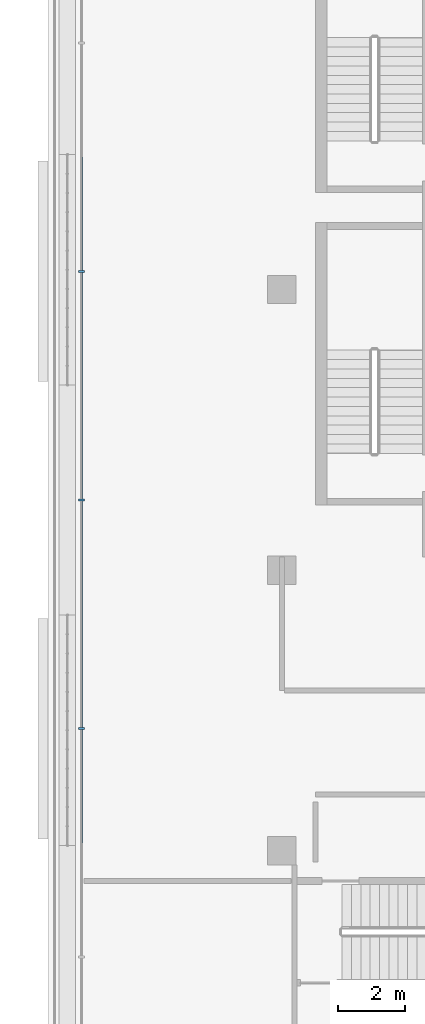
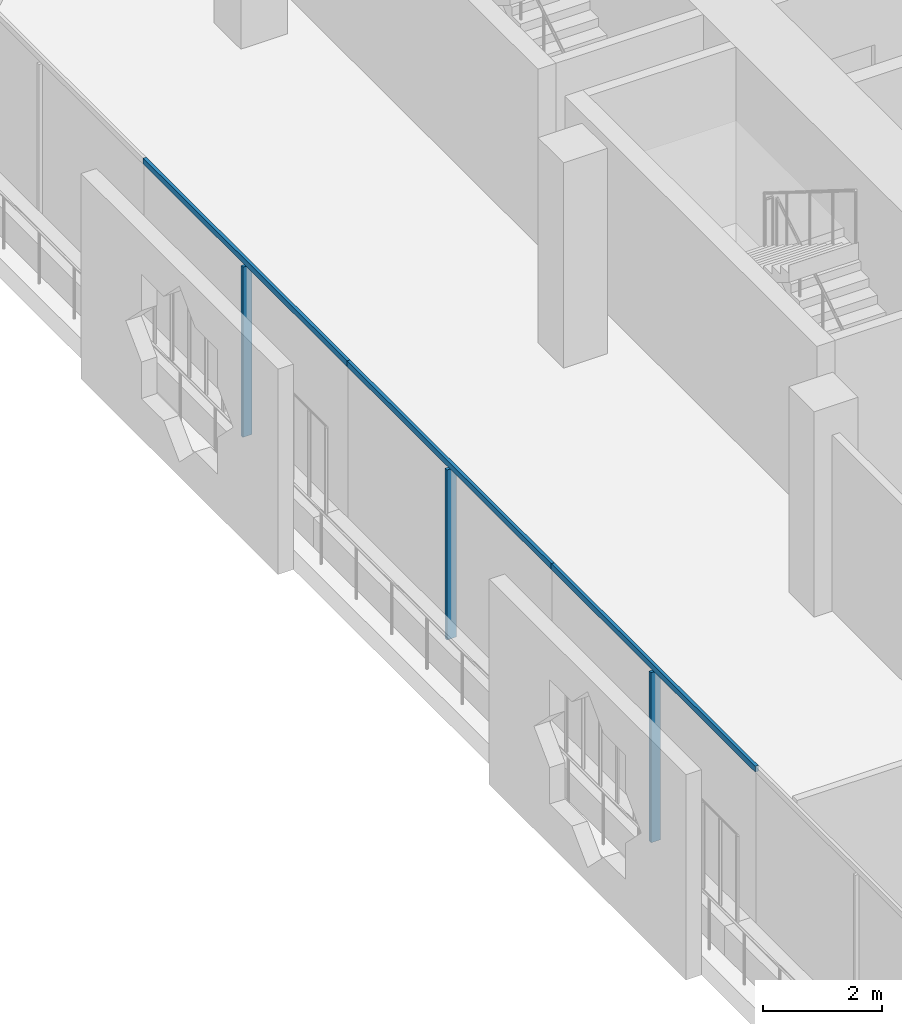
# One storey, part 3 of 22: 6 members, 1 element without a shape of its own.
"""IFC4 building model written with IfcOpenShell, lengths in metres."""

from ifc_helpers import new_model, si_unit, direction, frame, origin, origin_2d, place, context, subcontext, project, spatial, rectangle, extrude, material, layer, layer_set, material_profile, profile_set, type_object, element, aggregate, save


model = new_model("IFC4")

# Units and contexts
model_context = context("Model", 3, precision=1e-05, world=origin(), true_north=direction((0.0, 1.0)))
body_context = subcontext(model_context, "Body", "Model", "MODEL_VIEW")
ifc_project = project(units=[si_unit("LENGTHUNIT", "METRE"), si_unit("AREAUNIT", "SQUARE_METRE"), si_unit("VOLUMEUNIT", "CUBIC_METRE"), si_unit("PLANEANGLEUNIT", "RADIAN"), si_unit("MASSUNIT", "GRAM", prefix="KILO")], contexts=[model_context])

# Site, building, storey
site_placement = place(None, origin())
site = spatial("IfcSite", under=ifc_project, at=site_placement, CompositionType="ELEMENT")
building_placement = place(site_placement, origin())
building = spatial("IfcBuilding", under=site, at=building_placement, Name="Kawkab Arch Medical Tower", CompositionType="ELEMENT")
storey_placement = place(building_placement, frame((0.0, 0.0, 251.60009765625)))
storey = spatial("IfcBuildingStorey", under=building, at=storey_placement, Name="L58", CompositionType="ELEMENT", Elevation=251.60009765625)

# Curtain wall, members
ifc_material_1 = material(Name="Bronze anodised aluminium curtain wall frame", Category="aluminium")
ifc_layer = layer(ifc_material_1, 0.159912109375)
ifc_layer_set = layer_set([ifc_layer], Name="Bronze anodised aluminium curtain wall frame")
curtain_wall_type = type_object("IfcCurtainWallType", Name="CW1 ward curtain wall", PredefinedType="NOTDEFINED", material=ifc_layer_set)
curtain_wall_placement = place(storey_placement, origin())
curtain_wall = element("IfcCurtainWall", 1, at=curtain_wall_placement, inside=storey, type_object=curtain_wall_type, Name="CW1 Ward curtain wall R01", PredefinedType="NOTDEFINED")
ifc_material_2 = material(Name="Bronze anodised aluminium curtain wall frame", Category="aluminium")
ifc_material_profile_1 = material_profile(ifc_material_2, rectangle(XDim=0.179931640625, YDim=0.06005859375, at=origin_2d()), Name="AL 60x180")
ifc_profile_set_1 = profile_set([ifc_material_profile_1], Name="Bronze anodised aluminium curtain wall frame")
member_type_1 = type_object("IfcMemberType", Name="CW1 mullion 60 x 180", PredefinedType="MULLION", material=ifc_profile_set_1)
member_1_placement = place(storey_placement, frame((-6.0, -16.260009765625, 0.0), z_axis=(0.0, 0.0, 1.0), x_axis=(1.0, 0.0, 0.0)))
member_1 = element("IfcMember", 2, at=member_1_placement, type_object=member_type_1, Name="CW1 mullion 2.1", PredefinedType="MULLION", context=body_context, shape_type="SweptSolid", body=[
    extrude(rectangle(XDim=0.179931640625, YDim=0.06005859375, at=origin_2d()), origin(), (0.0, 0.0, 1.0), 3.47998046875),
])
member_2_placement = place(storey_placement, frame((-6.0, -23.10009765625, 0.0), z_axis=(0.0, 0.0, 1.0), x_axis=(1.0, 0.0, 0.0)))
member_2 = element("IfcMember", 3, at=member_2_placement, type_object=member_type_1, Name="CW1 mullion 3.1", PredefinedType="MULLION", context=body_context, shape_type="SweptSolid", body=[
    extrude(rectangle(XDim=0.179931640625, YDim=0.06005859375, at=origin_2d()), origin(), (0.0, 0.0, 1.0), 3.47998046875),
])
member_3_placement = place(storey_placement, frame((-6.0, -29.93994140625, 0.0), z_axis=(0.0, 0.0, 1.0), x_axis=(1.0, 0.0, 0.0)))
member_3 = element("IfcMember", 4, at=member_3_placement, type_object=member_type_1, Name="CW1 mullion 4.1", PredefinedType="MULLION", context=body_context, shape_type="SweptSolid", body=[
    extrude(rectangle(XDim=0.179931640625, YDim=0.06005859375, at=origin_2d()), origin(), (0.0, 0.0, 1.0), 3.47998046875),
])
ifc_material_3 = material(Name="Bronze anodised aluminium curtain wall frame", Category="aluminium")
ifc_material_profile_2 = material_profile(ifc_material_3, rectangle(XDim=0.06005859375, YDim=0.1201171875, at=origin_2d()), Name="AL 60x120")
ifc_profile_set_2 = profile_set([ifc_material_profile_2], Name="Bronze anodised aluminium curtain wall frame")
member_type_2 = type_object("IfcMemberType", Name="CW1 transom 120 x 60", PredefinedType="USERDEFINED", material=ifc_profile_set_2)
member_4_placement = place(storey_placement, frame((-6.0, -12.840087890625, 3.539794921875), z_axis=(0.0, -1.0, 0.0), x_axis=(1.0, 0.0, 0.0)))
member_4 = element("IfcMember", 5, at=member_4_placement, type_object=member_type_2, Name="CW1 transom 2", ObjectType="TRANSOM", PredefinedType="USERDEFINED", context=body_context, shape_type="SweptSolid", body=[
    extrude(rectangle(XDim=0.06005859375, YDim=0.1201171875, at=origin_2d()), origin(), (0.0, 0.0, 1.0), 6.83984375),
])
member_5_placement = place(storey_placement, frame((-6.0, -19.679931640625, 3.539794921875), z_axis=(0.0, -1.0, 0.0), x_axis=(1.0, 0.0, 0.0)))
member_5 = element("IfcMember", 6, at=member_5_placement, type_object=member_type_2, Name="CW1 transom 3", ObjectType="TRANSOM", PredefinedType="USERDEFINED", context=body_context, shape_type="SweptSolid", body=[
    extrude(rectangle(XDim=0.06005859375, YDim=0.1201171875, at=origin_2d()), origin(), (0.0, 0.0, 1.0), 6.840087890625),
])
member_6_placement = place(storey_placement, frame((-6.0, -26.52001953125, 3.539794921875), z_axis=(0.0, -1.0, 0.0), x_axis=(1.0, 0.0, 0.0)))
member_6 = element("IfcMember", 7, at=member_6_placement, type_object=member_type_2, Name="CW1 transom 4", ObjectType="TRANSOM", PredefinedType="USERDEFINED", context=body_context, shape_type="SweptSolid", body=[
    extrude(rectangle(XDim=0.06005859375, YDim=0.1201171875, at=origin_2d()), origin(), (0.0, 0.0, 1.0), 6.840087890625),
])
aggregate(curtain_wall, [member_4, member_1, member_5, member_2, member_6, member_3])

save(model, "model.ifc")
